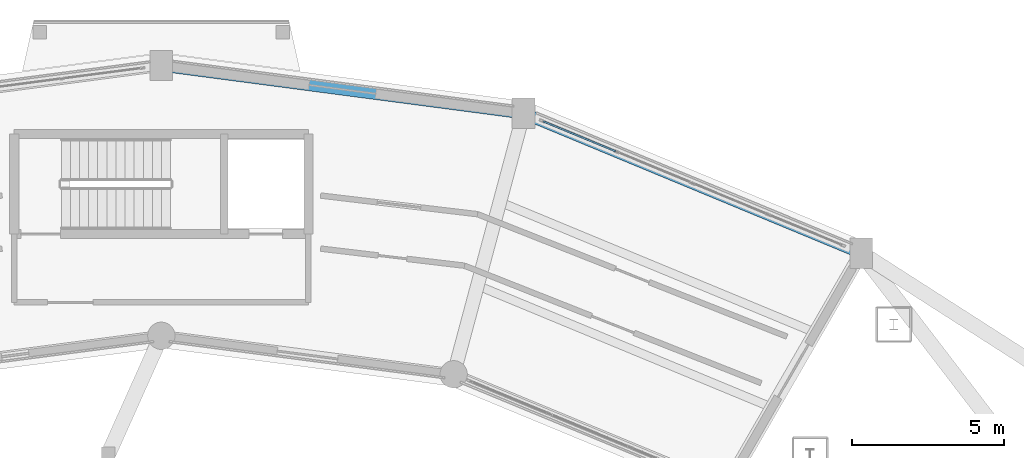
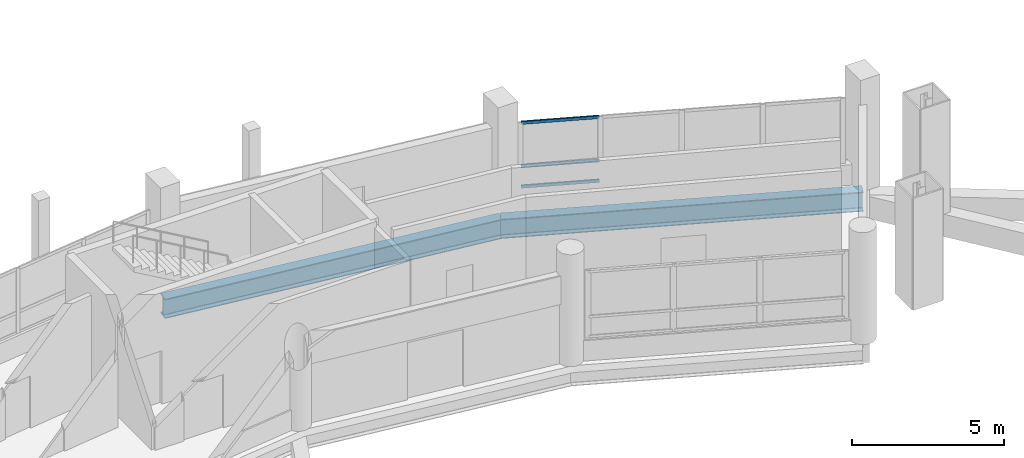
# One storey, part 63 of 129: 3 members, 2 beams, 1 element without a shape of its own.
"""IFC4 building model written with IfcOpenShell, lengths in metres."""

from ifc_helpers import new_model, si_unit, direction, frame, origin, origin_2d, place, context, subcontext, project, spatial, hollow_rectangle, i_section, extrude, material, layer, layer_set, material_profile, profile_set, type_object, element, aggregate, save


model = new_model("IFC4")

# Units and contexts
model_context = context("Model", 3, precision=1e-05, world=origin(), true_north=direction((0.0, 1.0)))
body_context = subcontext(model_context, "Body", "Model", "MODEL_VIEW")
ifc_project = project(units=[si_unit("LENGTHUNIT", "METRE"), si_unit("AREAUNIT", "SQUARE_METRE"), si_unit("VOLUMEUNIT", "CUBIC_METRE"), si_unit("PLANEANGLEUNIT", "RADIAN"), si_unit("MASSUNIT", "GRAM", prefix="KILO")], contexts=[model_context])

# Site, building, storey
site_placement = place(None, origin())
site = spatial("IfcSite", under=ifc_project, at=site_placement, CompositionType="ELEMENT")
building_placement = place(site_placement, origin())
building = spatial("IfcBuilding", under=site, at=building_placement, Name="Vespera Passage Community Centre", CompositionType="ELEMENT")
storey_placement = place(building_placement, origin())
storey = spatial("IfcBuildingStorey", under=building, at=storey_placement, Name="L00", CompositionType="ELEMENT", Elevation=0.0)

# Beams
ifc_material_1 = material(Name="Steel ASTM A992 Grade 50", Category="steel")
ifc_material_profile_1 = material_profile(ifc_material_1, i_section(OverallWidth=0.382080078125, OverallDepth=0.779296875, WebThickness=0.01806640625, FlangeThickness=0.030029296875, FilletRadius=0.0166015625, at=origin_2d()), Name="W30X191")
ifc_profile_set_1 = profile_set([ifc_material_profile_1], Name="Steel ASTM A992 Grade 50")
beam_type = type_object("IfcBeamType", Name="BM-SP-W30X191E", PredefinedType="SPANDREL", material=ifc_profile_set_1)
beam_1_placement = place(storey_placement, frame((101.050048828125, 105.423828125, -0.669677734375), z_axis=(-0.923877379647, 0.382688629799, 0.0), x_axis=(-0.382688629799, -0.923877379647, 0.0)))
element("IfcBeam", 1, at=beam_1_placement, inside=storey, type_object=beam_type, Name="V4 L00 Outer Spandrel 4", PredefinedType="SPANDREL", context=body_context, shape_type="SweptSolid", body=[
    extrude(i_section(OverallWidth=0.382080078125, OverallDepth=0.779296875, WebThickness=0.01806640625, FlangeThickness=0.030029296875, FilletRadius=0.0166015625, at=origin_2d()), origin(), (0.0, 0.0, 1.0), 12.034423828125),
])
beam_2_placement = place(storey_placement, frame((89.931640625, 110.029296875, -0.669677734375), z_axis=(-0.991445178667, 0.130523782115, 0.0), x_axis=(-0.130523782115, -0.991445178667, 0.0)))
element("IfcBeam", 2, at=beam_2_placement, inside=storey, type_object=beam_type, Name="V4 L00 Outer Spandrel 5", PredefinedType="SPANDREL", context=body_context, shape_type="SweptSolid", body=[
    extrude(i_section(OverallWidth=0.382080078125, OverallDepth=0.779296875, WebThickness=0.01806640625, FlangeThickness=0.030029296875, FilletRadius=0.0166015625, at=origin_2d()), origin(), (0.0, 0.0, 1.0), 12.03466796875),
])

# Curtain wall, members
ifc_material_2 = material(Name="Anodized aluminium 6063-T6", Category="aluminium")
ifc_layer = layer(ifc_material_2, 0.159912109375)
ifc_layer_set = layer_set([ifc_layer], Name="Anodized aluminium 6063-T6")
curtain_wall_type = type_object("IfcCurtainWallType", Name="CW-01E", PredefinedType="NOTDEFINED", material=ifc_layer_set)
curtain_wall_placement = place(storey_placement, origin())
curtain_wall = element("IfcCurtainWall", 3, at=curtain_wall_placement, inside=storey, type_object=curtain_wall_type, Name="V4 L00 Outer Ribbon Curtain Wall 4", PredefinedType="NOTDEFINED")
ifc_material_3 = material(Name="Anodized aluminium 6063-T6", Category="aluminium")
ifc_material_profile_2 = material_profile(ifc_material_3, hollow_rectangle(XDim=0.06005859375, YDim=0.1201171875, WallThickness=0.00390625, InnerFilletRadius=0.001953125, OuterFilletRadius=0.00390625, at=origin_2d()), Name="ALU120X60X4")
ifc_profile_set_2 = profile_set([ifc_material_profile_2], Name="Anodized aluminium 6063-T6")
member_type = type_object("IfcMemberType", Name="MB-CWT-120E", PredefinedType="USERDEFINED", material=ifc_profile_set_2)
member_1_placement = place(storey_placement, frame((90.574462890625, 109.762939453125, 0.85009765625), z_axis=(0.923882193286, -0.382677008624, 0.0), x_axis=(0.382677008624, 0.923882193286, 0.0)))
member_1 = element("IfcMember", 4, at=member_1_placement, type_object=member_type, Name="CW-01E transom 1.1", ObjectType="TRANSOM", PredefinedType="USERDEFINED", context=body_context, shape_type="SweptSolid", body=[
    extrude(hollow_rectangle(XDim=0.06005859375, YDim=0.1201171875, WallThickness=0.00390625, InnerFilletRadius=0.001953125, OuterFilletRadius=0.00390625, at=origin_2d()), origin(), (0.0, 0.0, 1.0), 2.585693359375),
])
member_2_placement = place(storey_placement, frame((90.574462890625, 109.762939453125, 1.669921875), z_axis=(0.923882193286, -0.382677008624, 0.0), x_axis=(0.382677008624, 0.923882193286, 0.0)))
member_2 = element("IfcMember", 5, at=member_2_placement, type_object=member_type, Name="CW-01E transom 1.2", ObjectType="TRANSOM", PredefinedType="USERDEFINED", context=body_context, shape_type="SweptSolid", body=[
    extrude(hollow_rectangle(XDim=0.06005859375, YDim=0.1201171875, WallThickness=0.00390625, InnerFilletRadius=0.001953125, OuterFilletRadius=0.00390625, at=origin_2d()), origin(), (0.0, 0.0, 1.0), 2.585693359375),
])
member_3_placement = place(storey_placement, frame((90.574462890625, 109.762939453125, 3.41552734375), z_axis=(0.923882193286, -0.382677008624, 0.0), x_axis=(0.382677008624, 0.923882193286, 0.0)))
member_3 = element("IfcMember", 6, at=member_3_placement, type_object=member_type, Name="CW-01E transom 1.3", ObjectType="TRANSOM", PredefinedType="USERDEFINED", context=body_context, shape_type="SweptSolid", body=[
    extrude(hollow_rectangle(XDim=0.06005859375, YDim=0.1201171875, WallThickness=0.00390625, InnerFilletRadius=0.001953125, OuterFilletRadius=0.00390625, at=origin_2d()), origin(), (0.0, 0.0, 1.0), 2.585693359375),
])
aggregate(curtain_wall, [member_1, member_2, member_3])

save(model, "model.ifc")
